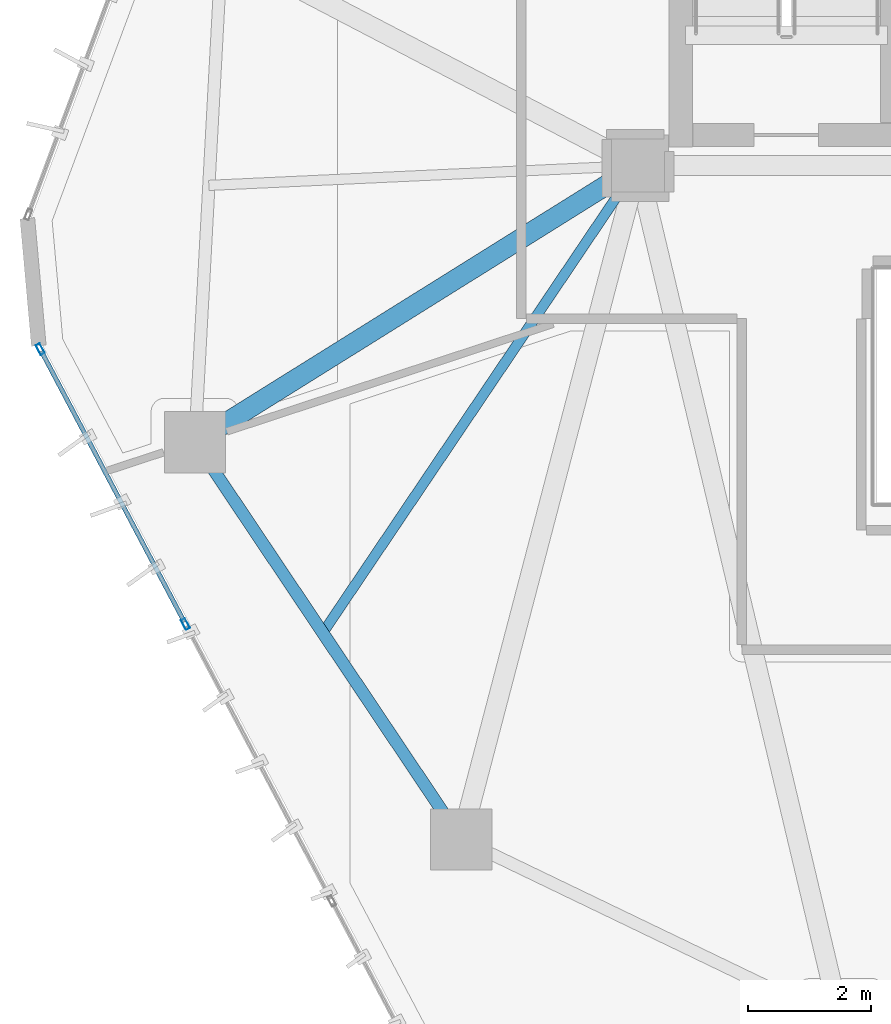
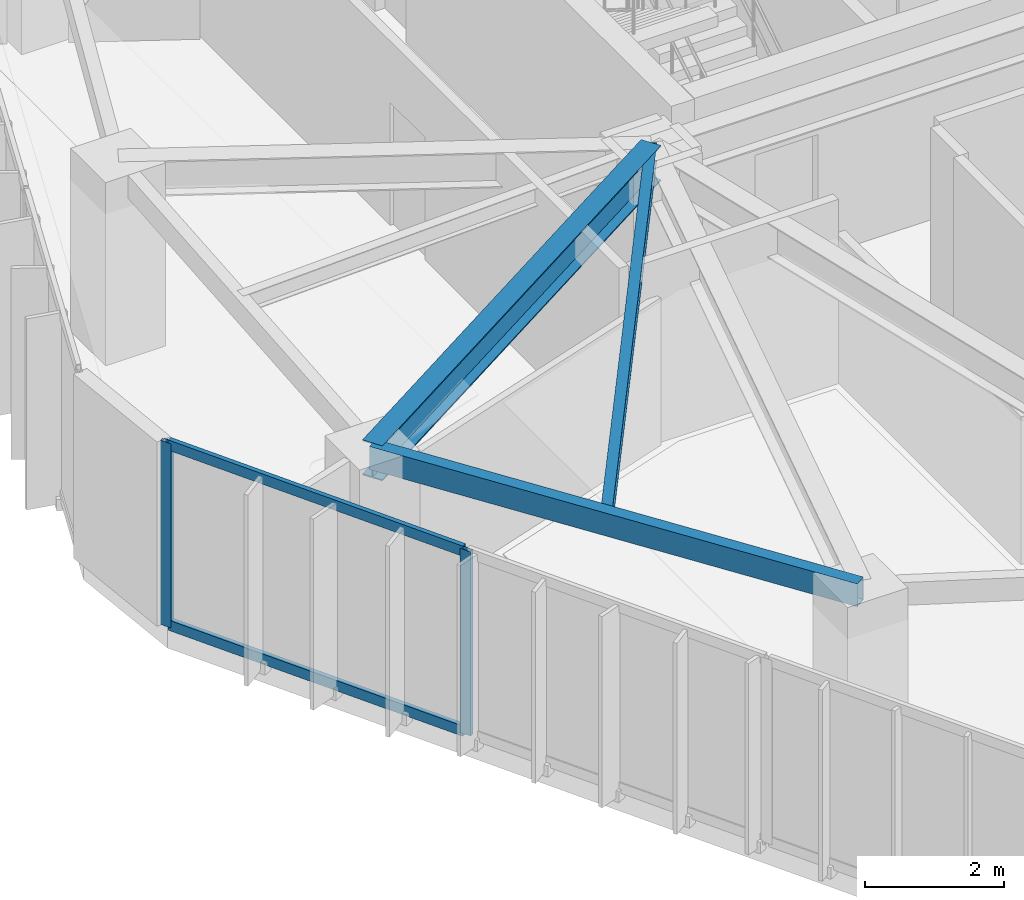
# One storey, part 4 of 18: 4 members, 3 beams, 1 element without a shape of its own.
"""IFC4 building model written with IfcOpenShell, lengths in metres."""

from ifc_helpers import new_model, si_unit, direction, frame, origin, origin_2d, place, context, subcontext, project, spatial, hollow_rectangle, i_section, extrude, source, transform, mapped, material, layer, layer_set, material_profile, profile_set, type_object, type_shapes, element, aggregate, save


model = new_model("IFC4")

# Units and contexts
model_context = context("Model", 3, precision=1e-05, world=origin(), true_north=direction((0.0, 1.0)))
body_context = subcontext(model_context, "Body", "Model", "MODEL_VIEW")
ifc_project = project(units=[si_unit("LENGTHUNIT", "METRE"), si_unit("AREAUNIT", "SQUARE_METRE"), si_unit("VOLUMEUNIT", "CUBIC_METRE"), si_unit("PLANEANGLEUNIT", "RADIAN"), si_unit("MASSUNIT", "GRAM", prefix="KILO")], contexts=[model_context])

# Site, building, storey
site_placement = place(None, origin())
site = spatial("IfcSite", under=ifc_project, at=site_placement, CompositionType="ELEMENT")
building_placement = place(site_placement, origin())
building = spatial("IfcBuilding", under=site, at=building_placement, Name="Talar Marvaseh", CompositionType="ELEMENT")
storey_placement = place(building_placement, frame((0.0, 0.0, 167.0)))
storey = spatial("IfcBuildingStorey", under=building, at=storey_placement, Name="L43", CompositionType="ELEMENT", Elevation=167.0)

# Beams
ifc_material_1 = material(Name="Steel S355", Category="steel")
ifc_material_profile_1 = material_profile(ifc_material_1, hollow_rectangle(XDim=0.199951171875, YDim=0.39990234375, WallThickness=0.013916015625, at=origin_2d()), Name="RHS400x200x14")
ifc_profile_set_1 = profile_set([ifc_material_profile_1], Name="Steel S355")
beam_type_1 = type_object("IfcBeamType", Name="Zone 3 Perimeter Spandrel Beam RHS400x200x14", PredefinedType="SPANDREL", material=ifc_profile_set_1)
beam_1_placement = place(storey_placement, frame((15.819091796875, 14.5009765625, 3.030029296875), z_axis=(-0.556805579613, 0.830642851358, 0.0), x_axis=(-0.830642851358, -0.556805579613, 0.0)))
element("IfcBeam", 1, at=beam_1_placement, inside=storey, type_object=beam_type_1, Name="L43 Zone 3 Perimeter Spandrel Beam RHS400x200x14", PredefinedType="SPANDREL", context=body_context, shape_type="SweptSolid", body=[
    extrude(hollow_rectangle(XDim=0.199951171875, YDim=0.39990234375, WallThickness=0.013916015625, at=origin_2d()), origin(), (0.0, 0.0, 1.0), 7.807373046875),
])
ifc_material_profile_2 = material_profile(ifc_material_1, i_section(OverallWidth=0.324951171875, OverallDepth=0.615966796875, WebThickness=0.013916015625, FlangeThickness=0.021484375, at=origin_2d()), Name="W610x174")
ifc_profile_set_2 = profile_set([ifc_material_profile_2], Name="Steel S355")
beam_type_2 = type_object("IfcBeamType", Name="Zone 3 Radial Floor Girder W610x174", PredefinedType="BEAM", material=ifc_profile_set_2)
beam_2_placement = place(storey_placement, frame((11.471923828125, 20.986083984375, 2.922119140625), z_axis=(0.848188171212, 0.52969503133, 0.0), x_axis=(-0.52969503133, 0.848188171212, 0.0)))
element("IfcBeam", 2, at=beam_2_placement, inside=storey, type_object=beam_type_2, Name="L43 Zone 3 Radial Floor Girder W610x174", PredefinedType="BEAM", context=body_context, shape_type="SweptSolid", body=[
    extrude(i_section(OverallWidth=0.324951171875, OverallDepth=0.615966796875, WebThickness=0.013916015625, FlangeThickness=0.021484375, at=origin_2d()), origin(), (0.0, 0.0, 1.0), 8.521728515625),
])
ifc_material_profile_3 = material_profile(ifc_material_1, i_section(OverallWidth=0.166015625, OverallDepth=0.31298828125, WebThickness=0.006591796875, FlangeThickness=0.01123046875, at=origin_2d()), Name="W310x45")
ifc_profile_set_3 = profile_set([ifc_material_profile_3], Name="Steel S355")
beam_type_3 = type_object("IfcBeamType", Name="Zone 3 Secondary Floor Joist W310x45", PredefinedType="JOIST", material=ifc_profile_set_3)
beam_3_placement = place(storey_placement, frame((13.55859375, 17.873291015625, 3.073486328125), z_axis=(0.558974483718, 0.829184856683, 0.0), x_axis=(-0.829184856683, 0.558974483718, 0.0)))
element("IfcBeam", 3, at=beam_3_placement, inside=storey, type_object=beam_type_3, Name="L43 Zone 3 Secondary Floor Joist W310x45", PredefinedType="JOIST", context=body_context, shape_type="SweptSolid", body=[
    extrude(i_section(OverallWidth=0.166015625, OverallDepth=0.31298828125, WebThickness=0.006591796875, FlangeThickness=0.01123046875, at=origin_2d()), origin(), (0.0, 0.0, 1.0), 9.19775390625),
])

# Curtain wall, members
ifc_material_2 = material(Name="Architectural Aluminium", Category="aluminium")
ifc_layer = layer(ifc_material_2, 0.18994140625)
ifc_layer_set = layer_set([ifc_layer], Name="Architectural Aluminium")
curtain_wall_type = type_object("IfcCurtainWallType", Name="Unitised Solar Atelier Curtain Wall Z3", PredefinedType="NOTDEFINED", material=ifc_layer_set)
curtain_wall_placement = place(storey_placement, origin())
curtain_wall = element("IfcCurtainWall", 4, at=curtain_wall_placement, inside=storey, type_object=curtain_wall_type, Name="L43 Unitised Solar Atelier Curtain Wall Z3", PredefinedType="NOTDEFINED")
ifc_material_profile_4 = material_profile(ifc_material_2, hollow_rectangle(XDim=0.074951171875, YDim=0.179931640625, WallThickness=0.0048828125, at=origin_2d()), Name="RHS180x75x5")
ifc_profile_set_4 = profile_set([ifc_material_profile_4], Name="Architectural Aluminium")
member_type_1 = type_object("IfcMemberType", Name="Unitised Curtain Wall Standard Mullion RHS180x75x5", PredefinedType="MULLION", material=ifc_profile_set_4)
shared_shape_1 = source(origin(), body_context, "Body", "SweptSolid", [
    extrude(hollow_rectangle(XDim=0.074951171875, YDim=0.179931640625, WallThickness=0.0048828125, at=origin_2d()), origin(), (0.0, 0.0, 1.0), 3.22998046875),
])
type_shapes(member_type_1, [shared_shape_1])
member_1_placement = place(storey_placement, frame((11.317626953125, 18.016845703125, 0.0), z_axis=(0.0, 0.0, 1.0), x_axis=(-0.884204306764, -0.467100357418, 0.0)))
member_1 = element("IfcMember", 5, at=member_1_placement, type_object=member_type_1, Name="CW-Z3 mullion 3", PredefinedType="MULLION", context=body_context, shape_type="MappedRepresentation", body=[
    mapped(shared_shape_1, transform((0.0, 0.0, 0.0), x_axis=(1.0, 0.0, 0.0), y_axis=(0.0, 1.0, 0.0), z_axis=(0.0, 0.0, 1.0), scale=1.0)),
])
member_2_placement = place(storey_placement, frame((8.94677734375, 22.504638671875, 0.0), z_axis=(0.0, 0.0, 1.0), x_axis=(-0.884204306764, -0.467100357418, 0.0)))
member_2 = element("IfcMember", 6, at=member_2_placement, type_object=member_type_1, Name="CW-Z3 mullion 4", PredefinedType="MULLION", context=body_context, shape_type="MappedRepresentation", body=[
    mapped(shared_shape_1, transform((0.0, 0.0, 0.0), x_axis=(1.0, 0.0, 0.0), y_axis=(0.0, 1.0, 0.0), z_axis=(0.0, 0.0, 1.0), scale=1.0)),
])
ifc_material_profile_5 = material_profile(ifc_material_2, hollow_rectangle(XDim=0.074951171875, YDim=0.179931640625, WallThickness=0.0048828125, at=origin_2d()), Name="RHS180x75x5")
ifc_profile_set_5 = profile_set([ifc_material_profile_5], Name="Architectural Aluminium")
member_type_2 = type_object("IfcMemberType", Name="Unitised Curtain Wall Transom RHS180x75x5", PredefinedType="USERDEFINED", material=ifc_profile_set_5)
shared_shape_2 = source(origin(), body_context, "Body", "SweptSolid", [
    extrude(hollow_rectangle(XDim=0.074951171875, YDim=0.179931640625, WallThickness=0.0048828125, at=origin_2d()), origin(), (0.0, 0.0, 1.0), 5.000732421875),
])
type_shapes(member_type_2, [shared_shape_2])
member_3_placement = place(storey_placement, frame((11.300048828125, 18.0498046875, 0.03759765625), z_axis=(-0.467079982986, 0.884215069705, 0.0), x_axis=(-0.884215069705, -0.467079982986, 0.0)))
member_3 = element("IfcMember", 7, at=member_3_placement, type_object=member_type_2, Name="CW-Z3 transom 3.1", ObjectType="TRANSOM", PredefinedType="USERDEFINED", context=body_context, shape_type="MappedRepresentation", body=[
    mapped(shared_shape_2, transform((0.0, 0.0, 0.0), x_axis=(1.0, 0.0, 0.0), y_axis=(0.0, 1.0, 0.0), z_axis=(0.0, 0.0, 1.0), scale=1.0)),
])
member_4_placement = place(storey_placement, frame((11.300048828125, 18.0498046875, 3.1923828125), z_axis=(-0.467079982986, 0.884215069705, 0.0), x_axis=(-0.884215069705, -0.467079982986, 0.0)))
member_4 = element("IfcMember", 8, at=member_4_placement, type_object=member_type_2, Name="CW-Z3 transom 3.2", ObjectType="TRANSOM", PredefinedType="USERDEFINED", context=body_context, shape_type="MappedRepresentation", body=[
    mapped(shared_shape_2, transform((0.0, 0.0, 0.0), x_axis=(1.0, 0.0, 0.0), y_axis=(0.0, 1.0, 0.0), z_axis=(0.0, 0.0, 1.0), scale=1.0)),
])
aggregate(curtain_wall, [member_1, member_2, member_3, member_4])

save(model, "model.ifc")
